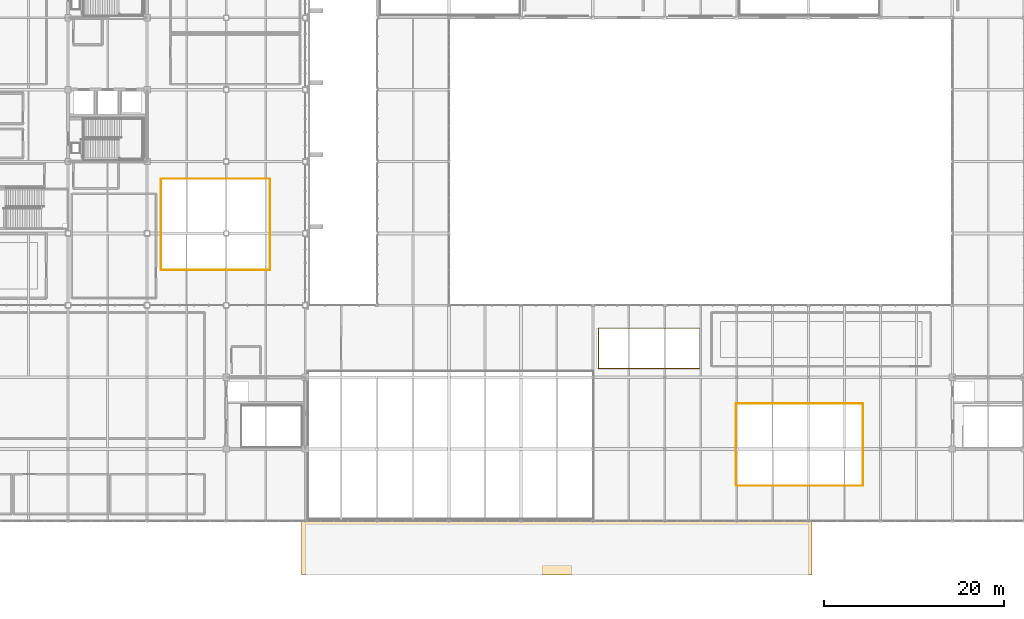
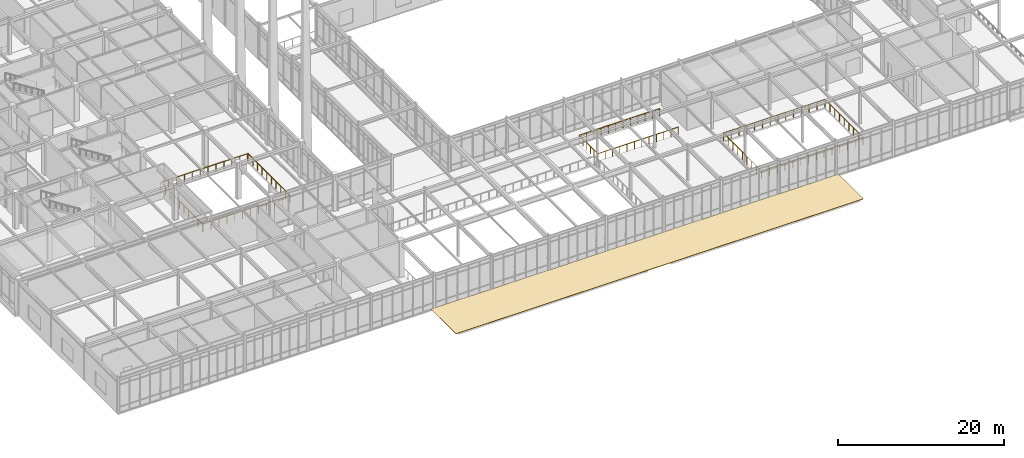
# One storey, part 175 of 184: 5 railings, 1 covering.
"""IFC4 building model written with IfcOpenShell, lengths in metres."""

import ifcopenshell
import ifcopenshell.guid

model = None  # the IFC model being written
_history = None  # IfcOwnerHistory: only IFC2X3 demands one
_inside = {}  # id of a spatial element -> (the spatial element, [elements in it])
_under = {}  # id of a project, library or spatial element -> (it, [spatial elements below it])
_declared = {}  # id of a project -> (the project, [libraries it declares])
_typed = {}  # id of a type object -> (the type object, [elements of that type])
_made_of = {}  # id of a material, layer set ... -> (it, [elements and type objects made of it])


def new_model(schema):
    """Start an empty IFC model of exactly this schema.

    Asked for "IFC4X3", IfcOpenShell would pick the latest addendum, in which some entities
    have other attributes; the version numbers below select the first issue.
    IFC2X3 requires an IfcOwnerHistory on every rooted entity: one is made here for all.
    """
    global model, _history
    if schema == "IFC4X3":
        model = ifcopenshell.file(schema_version=(4, 3, 0, 0))
    else:
        model = ifcopenshell.file(schema=schema)
    _inside.clear()
    _under.clear()
    _declared.clear()
    _typed.clear()
    _made_of.clear()
    _history = None
    if model.schema == "IFC2X3":
        org = make("IfcOrganization", Name="unknown")
        user = make(
            "IfcPersonAndOrganization",
            ThePerson=make("IfcPerson", FamilyName="unknown"),
            TheOrganization=org,
        )
        app = make(
            "IfcApplication",
            ApplicationDeveloper=org,
            Version="unknown",
            ApplicationFullName="unknown",
            ApplicationIdentifier="unknown",
        )
        _history = make(
            "IfcOwnerHistory",
            OwningUser=user,
            OwningApplication=app,
            ChangeAction="ADDED",
            CreationDate=0,
        )
    return model


def make(cls, **values):
    """One entity of the class cls with the attributes given. An attribute that is None is left unset."""
    return model.create_entity(
        cls, **{name: value for name, value in values.items() if value is not None}
    )


def rooted(cls, **values):
    """An entity with a GlobalId (a new one), such as an element, a storey or a relation."""
    return make(cls, GlobalId=ifcopenshell.guid.new(), OwnerHistory=_history, **values)


def si_unit(unit_type, name, prefix=None):
    """IfcSIUnit, for example si_unit("LENGTHUNIT", "METRE", prefix="MILLI")."""
    return make("IfcSIUnit", UnitType=unit_type, Prefix=prefix, Name=name)


def assignment(units):
    """IfcUnitAssignment: the units of a project."""
    return None if units is None else make("IfcUnitAssignment", Units=units)


def point(xyz):
    """IfcCartesianPoint."""
    return None if xyz is None else make("IfcCartesianPoint", Coordinates=xyz)


def direction(xyz):
    """IfcDirection."""
    return None if xyz is None else make("IfcDirection", DirectionRatios=xyz)


def frame(location, z_axis=None, x_axis=None):
    """IfcAxis2Placement3D, a coordinate frame: its origin and axes. An axis left out is left unset."""
    return make(
        "IfcAxis2Placement3D",
        Location=point(location),
        Axis=direction(z_axis),
        RefDirection=direction(x_axis),
    )


def frame_2d(location, x_axis=None):
    """IfcAxis2Placement2D, a coordinate frame in the plane: its origin and x axis."""
    return make(
        "IfcAxis2Placement2D", Location=point(location), RefDirection=direction(x_axis)
    )


def origin():
    """The frame at (0, 0, 0) with its axes left unset."""
    return frame((0.0, 0.0, 0.0))


def origin_2d():
    """The frame at (0, 0) in the plane with its x axis left unset."""
    return frame_2d((0.0, 0.0))


def place(relative_to, where):
    """IfcLocalPlacement: puts the frame where relative to a parent placement (None: the world)."""
    return make(
        "IfcLocalPlacement", PlacementRelTo=relative_to, RelativePlacement=where
    )


def context(
    kind, dimensions, precision=None, world=None, true_north=None, identifier=None
):
    """IfcGeometricRepresentationContext, for example the 3D "Model" context."""
    return make(
        "IfcGeometricRepresentationContext",
        ContextIdentifier=identifier,
        ContextType=kind,
        CoordinateSpaceDimension=dimensions,
        Precision=precision,
        WorldCoordinateSystem=world,
        TrueNorth=true_north,
    )


def subcontext(parent, identifier, kind, view, scale=None):
    """IfcGeometricRepresentationSubContext, for example "Body" below "Model"."""
    return make(
        "IfcGeometricRepresentationSubContext",
        ContextIdentifier=identifier,
        ContextType=kind,
        ParentContext=parent,
        TargetScale=scale,
        TargetView=view,
    )


def project(units=None, contexts=None):
    """IfcProject with its units and contexts."""
    return rooted(
        "IfcProject",
        Name="project",
        RepresentationContexts=contexts,
        UnitsInContext=assignment(units),
    )


def spatial(cls, under=None, at=None, **own):
    """A site, building, storey or space (cls), placed at a placement, below another one or the project."""
    s = rooted(cls, ObjectPlacement=at, **own)
    if under is not None:
        _under.setdefault(under.id(), (under, []))[1].append(s)
    return s


def profile(cls, at=None, kind="AREA", **sizes):
    """A parametric profile (cls). Its sizes go by their IFC names, for example OverallWidth=200.0."""
    return make(cls, ProfileType=kind, Position=at, **sizes)


def rectangle(**sizes):
    """IfcRectangleProfileDef."""
    return profile("IfcRectangleProfileDef", **sizes)


def circle(**sizes):
    """IfcCircleProfileDef."""
    return profile("IfcCircleProfileDef", **sizes)


def extrude(swept, where, along, depth):
    """IfcExtrudedAreaSolid: the profile swept, set in the frame where, extruded along a direction by depth."""
    return make(
        "IfcExtrudedAreaSolid",
        SweptArea=swept,
        Position=where,
        ExtrudedDirection=direction(along),
        Depth=depth,
    )


def shape(context_of_items, identifier, shape_type, items):
    """IfcShapeRepresentation: the items that make up one representation, for example the "Body"."""
    return make(
        "IfcShapeRepresentation",
        ContextOfItems=context_of_items,
        RepresentationIdentifier=identifier,
        RepresentationType=shape_type,
        Items=items,
    )


def material(Name=None, Category=None):
    """IfcMaterial."""
    return make("IfcMaterial", Name=Name, Category=Category)


def layer(
    of_material, thickness, ventilated=None, Name=None, Category=None, Priority=None
):
    """IfcMaterialLayer: one layer of a wall or slab, of a material (None: an air gap)."""
    return make(
        "IfcMaterialLayer",
        Material=of_material,
        LayerThickness=thickness,
        IsVentilated=ventilated,
        Name=Name,
        Category=Category,
        Priority=Priority,
    )


def layer_set(layers, Name=None):
    """IfcMaterialLayerSet."""
    return make("IfcMaterialLayerSet", MaterialLayers=layers, LayerSetName=Name)


def made_of(thing, what):
    """Note that an element or type object is made of a material, layer set ...; save() writes the relation."""
    if what is not None:
        _made_of.setdefault(what.id(), (what, []))[1].append(thing)
    return thing


def type_object(cls, material=None, **own):
    """A type object (cls), such as IfcWallType, which elements share."""
    return made_of(rooted(cls, **own), material)


def element(
    cls,
    number,
    at=None,
    inside=None,
    cuts=None,
    type_object=None,
    material=None,
    context=None,
    identifier="Body",
    shape_type=None,
    held_by="IfcProductDefinitionShape",
    body=None,
    shapes=None,
    **own,
):
    """One element of the class cls, such as IfcWall. Its Tag is "e" and its number.

    at: its placement. inside: the storey or other place that contains it. cuts: it is an
    opening in that element (IfcRelVoidsElement). A single representation is given by context,
    identifier, shape_type and body (its items); several are given by shapes. held_by: the class
    of the entity that holds the representations. save() writes the other relations.
    """
    e = rooted(cls, Tag="e%d" % number, ObjectPlacement=at, **own)
    if body is not None:
        shapes = [shape(context, identifier, shape_type, body)]
    if shapes is not None:
        e.Representation = make(held_by, Representations=shapes)
    if inside is not None:
        _inside.setdefault(inside.id(), (inside, []))[1].append(e)
    if cuts is not None:
        rooted(
            "IfcRelVoidsElement", RelatingBuildingElement=cuts, RelatedOpeningElement=e
        )
    if type_object is not None:
        _typed.setdefault(type_object.id(), (type_object, []))[1].append(e)
    return made_of(e, material)


def aggregate(whole, parts):
    """IfcRelAggregates: a whole, such as a stair, and the parts it consists of."""
    return rooted("IfcRelAggregates", RelatingObject=whole, RelatedObjects=parts)


def save(model, path):
    """Write the relations noted so far, then the file.

    IfcRelAggregates (storeys below a building ...), IfcRelContainedInSpatialStructure (elements
    in a storey), IfcRelDefinesByType, IfcRelAssociatesMaterial and IfcRelDeclares: one each for
    every whole, place, type object, material and project.
    """
    for whole, parts in _under.values():
        aggregate(whole, parts)
    for where, things in _inside.values():
        rooted(
            "IfcRelContainedInSpatialStructure",
            RelatedElements=things,
            RelatingStructure=where,
        )
    for kind, things in _typed.values():
        rooted("IfcRelDefinesByType", RelatedObjects=things, RelatingType=kind)
    for what, things in _made_of.values():
        rooted("IfcRelAssociatesMaterial", RelatedObjects=things, RelatingMaterial=what)
    for by, libraries in _declared.values():
        rooted("IfcRelDeclares", RelatingContext=by, RelatedDefinitions=libraries)
    model.write(path)


model = new_model("IFC4")

# Units and contexts
model_context = context("Model", 3, precision=1e-05, world=origin(), true_north=direction((0.0, 1.0)))
body_context = subcontext(model_context, "Body", "Model", "MODEL_VIEW")
ifc_project = project(units=[si_unit("LENGTHUNIT", "METRE"), si_unit("AREAUNIT", "SQUARE_METRE"), si_unit("VOLUMEUNIT", "CUBIC_METRE"), si_unit("PLANEANGLEUNIT", "RADIAN"), si_unit("MASSUNIT", "GRAM", prefix="KILO")], contexts=[model_context])

# Site, building, storey
site_placement = place(None, origin())
site = spatial("IfcSite", under=ifc_project, at=site_placement, CompositionType="ELEMENT")
building_placement = place(site_placement, origin())
building = spatial("IfcBuilding", under=site, at=building_placement, Name="Zhaolan Boulevard Law Courts", CompositionType="ELEMENT")
storey_placement = place(building_placement, frame((0.0, 0.0, 5.39990234375)))
storey = spatial("IfcBuildingStorey", under=building, at=storey_placement, Name="L01", CompositionType="ELEMENT", Elevation=5.39990234375)

# Railings
ifc_material_1 = material(Name="Powder-coated steel and tempered laminated glass", Category="steel")
railing_type_1 = type_object("IfcRailingType", Name="INTERIOR GUARDRAIL 1150", PredefinedType="GUARDRAIL", material=ifc_material_1)
railing_1_placement = place(storey_placement, frame((91.9599609375, 9.919921875, 0.0)))
element("IfcRailing", 1, at=railing_1_placement, inside=storey, type_object=railing_type_1, Name="Atrium Gallery Guardrail VG-1-V4-7A", PredefinedType="GUARDRAIL", context=body_context, shape_type="SweptSolid", body=[
    extrude(circle(Radius=0.02490234375, at=origin_2d()), frame((0.0, 0.0, 1.125), z_axis=(1.0, 0.0, 0.0), x_axis=(0.0, 1.0, 0.0)), (0.0, 0.0, 1.0), 14.1201171875),
    extrude(circle(Radius=0.02490234375, at=origin_2d()), frame((14.1201171875, 0.0, 1.125), z_axis=(0.0, 1.0, 0.0), x_axis=(-1.0, 0.0, 0.0)), (0.0, 0.0, 1.0), 9.1201171875),
    extrude(circle(Radius=0.02099609375, at=origin_2d()), origin(), (0.0, 0.0, 1.0), 1.099853515625),
    extrude(circle(Radius=0.02099609375, at=origin_2d()), frame((1.086181640625, 0.0, 0.0)), (0.0, 0.0, 1.0), 1.099853515625),
    extrude(circle(Radius=0.02099609375, at=origin_2d()), frame((2.17236328125, 0.0, 0.0)), (0.0, 0.0, 1.0), 1.099853515625),
    extrude(circle(Radius=0.02099609375, at=origin_2d()), frame((3.258544921875, 0.0, 0.0)), (0.0, 0.0, 1.0), 1.099853515625),
    extrude(circle(Radius=0.02099609375, at=origin_2d()), frame((4.3447265625, 0.0, 0.0)), (0.0, 0.0, 1.0), 1.099853515625),
    extrude(circle(Radius=0.02099609375, at=origin_2d()), frame((5.430908203125, 0.0, 0.0)), (0.0, 0.0, 1.0), 1.099853515625),
    extrude(circle(Radius=0.02099609375, at=origin_2d()), frame((6.51708984375, 0.0, 0.0)), (0.0, 0.0, 1.0), 1.099853515625),
    extrude(circle(Radius=0.02099609375, at=origin_2d()), frame((7.60302734375, 0.0, 0.0)), (0.0, 0.0, 1.0), 1.099853515625),
    extrude(circle(Radius=0.02099609375, at=origin_2d()), frame((8.689208984375, 0.0, 0.0)), (0.0, 0.0, 1.0), 1.099853515625),
    extrude(circle(Radius=0.02099609375, at=origin_2d()), frame((9.775390625, 0.0, 0.0)), (0.0, 0.0, 1.0), 1.099853515625),
    extrude(circle(Radius=0.02099609375, at=origin_2d()), frame((10.861572265625, 0.0, 0.0)), (0.0, 0.0, 1.0), 1.099853515625),
    extrude(circle(Radius=0.02099609375, at=origin_2d()), frame((11.94775390625, 0.0, 0.0)), (0.0, 0.0, 1.0), 1.099853515625),
    extrude(circle(Radius=0.02099609375, at=origin_2d()), frame((13.033935546875, 0.0, 0.0)), (0.0, 0.0, 1.0), 1.099853515625),
    extrude(circle(Radius=0.02099609375, at=origin_2d()), frame((14.1201171875, 0.0, 0.0)), (0.0, 0.0, 1.0), 1.099853515625),
    extrude(circle(Radius=0.02099609375, at=origin_2d()), frame((14.1201171875, 1.14013671875, 0.0)), (0.0, 0.0, 1.0), 1.099853515625),
    extrude(circle(Radius=0.02099609375, at=origin_2d()), frame((14.1201171875, 2.280029296875, 0.0)), (0.0, 0.0, 1.0), 1.099853515625),
    extrude(circle(Radius=0.02099609375, at=origin_2d()), frame((14.1201171875, 3.419921875, 0.0)), (0.0, 0.0, 1.0), 1.099853515625),
    extrude(circle(Radius=0.02099609375, at=origin_2d()), frame((14.1201171875, 4.56005859375, 0.0)), (0.0, 0.0, 1.0), 1.099853515625),
    extrude(circle(Radius=0.02099609375, at=origin_2d()), frame((14.1201171875, 5.7001953125, 0.0)), (0.0, 0.0, 1.0), 1.099853515625),
    extrude(circle(Radius=0.02099609375, at=origin_2d()), frame((14.1201171875, 6.840087890625, 0.0)), (0.0, 0.0, 1.0), 1.099853515625),
    extrude(circle(Radius=0.02099609375, at=origin_2d()), frame((14.1201171875, 7.97998046875, 0.0)), (0.0, 0.0, 1.0), 1.099853515625),
    extrude(circle(Radius=0.02099609375, at=origin_2d()), frame((14.1201171875, 9.1201171875, 0.0)), (0.0, 0.0, 1.0), 1.099853515625),
])
railing_2_placement = place(storey_placement, frame((106.02001953125, 19.080078125, 0.0)))
element("IfcRailing", 2, at=railing_2_placement, inside=storey, type_object=railing_type_1, Name="Atrium Gallery Guardrail VG-1-V4-7B", PredefinedType="GUARDRAIL", context=body_context, shape_type="SweptSolid", body=[
    extrude(circle(Radius=0.02490234375, at=origin_2d()), frame((0.0, 0.0, 1.125), z_axis=(-1.0, 0.0, 0.0), x_axis=(0.0, -1.0, 0.0)), (0.0, 0.0, 1.0), 14.10009765625),
    extrude(circle(Radius=0.02490234375, at=origin_2d()), frame((-14.10009765625, 0.0, 1.125), z_axis=(0.0, -1.0, 0.0), x_axis=(1.0, 0.0, 0.0)), (0.0, 0.0, 1.0), 9.10009765625),
    extrude(circle(Radius=0.02099609375, at=origin_2d()), origin(), (0.0, 0.0, 1.0), 1.099853515625),
    extrude(circle(Radius=0.02099609375, at=origin_2d()), frame((-1.084716796875, 0.0, 0.0)), (0.0, 0.0, 1.0), 1.099853515625),
    extrude(circle(Radius=0.02099609375, at=origin_2d()), frame((-2.169189453125, 0.0, 0.0)), (0.0, 0.0, 1.0), 1.099853515625),
    extrude(circle(Radius=0.02099609375, at=origin_2d()), frame((-3.25390625, 0.0, 0.0)), (0.0, 0.0, 1.0), 1.099853515625),
    extrude(circle(Radius=0.02099609375, at=origin_2d()), frame((-4.33837890625, 0.0, 0.0)), (0.0, 0.0, 1.0), 1.099853515625),
    extrude(circle(Radius=0.02099609375, at=origin_2d()), frame((-5.423095703125, 0.0, 0.0)), (0.0, 0.0, 1.0), 1.099853515625),
    extrude(circle(Radius=0.02099609375, at=origin_2d()), frame((-6.5078125, 0.0, 0.0)), (0.0, 0.0, 1.0), 1.099853515625),
    extrude(circle(Radius=0.02099609375, at=origin_2d()), frame((-7.59228515625, 0.0, 0.0)), (0.0, 0.0, 1.0), 1.099853515625),
    extrude(circle(Radius=0.02099609375, at=origin_2d()), frame((-8.677001953125, 0.0, 0.0)), (0.0, 0.0, 1.0), 1.099853515625),
    extrude(circle(Radius=0.02099609375, at=origin_2d()), frame((-9.76171875, 0.0, 0.0)), (0.0, 0.0, 1.0), 1.099853515625),
    extrude(circle(Radius=0.02099609375, at=origin_2d()), frame((-10.84619140625, 0.0, 0.0)), (0.0, 0.0, 1.0), 1.099853515625),
    extrude(circle(Radius=0.02099609375, at=origin_2d()), frame((-11.930908203125, 0.0, 0.0)), (0.0, 0.0, 1.0), 1.099853515625),
    extrude(circle(Radius=0.02099609375, at=origin_2d()), frame((-13.015380859375, 0.0, 0.0)), (0.0, 0.0, 1.0), 1.099853515625),
    extrude(circle(Radius=0.02099609375, at=origin_2d()), frame((-14.10009765625, 0.0, 0.0)), (0.0, 0.0, 1.0), 1.099853515625),
    extrude(circle(Radius=0.02099609375, at=origin_2d()), frame((-14.10009765625, -1.137451171875, 0.0)), (0.0, 0.0, 1.0), 1.099853515625),
    extrude(circle(Radius=0.02099609375, at=origin_2d()), frame((-14.10009765625, -2.27490234375, 0.0)), (0.0, 0.0, 1.0), 1.099853515625),
    extrude(circle(Radius=0.02099609375, at=origin_2d()), frame((-14.10009765625, -3.41259765625, 0.0)), (0.0, 0.0, 1.0), 1.099853515625),
    extrude(circle(Radius=0.02099609375, at=origin_2d()), frame((-14.10009765625, -4.550048828125, 0.0)), (0.0, 0.0, 1.0), 1.099853515625),
    extrude(circle(Radius=0.02099609375, at=origin_2d()), frame((-14.10009765625, -5.6875, 0.0)), (0.0, 0.0, 1.0), 1.099853515625),
    extrude(circle(Radius=0.02099609375, at=origin_2d()), frame((-14.10009765625, -6.8251953125, 0.0)), (0.0, 0.0, 1.0), 1.099853515625),
    extrude(circle(Radius=0.02099609375, at=origin_2d()), frame((-14.10009765625, -7.962646484375, 0.0)), (0.0, 0.0, 1.0), 1.099853515625),
    extrude(circle(Radius=0.02099609375, at=origin_2d()), frame((-14.10009765625, -9.10009765625, 0.0)), (0.0, 0.0, 1.0), 1.099853515625),
])
railing_3_placement = place(storey_placement, frame((27.9599609375, 33.919921875, 0.0)))
element("IfcRailing", 3, at=railing_3_placement, inside=storey, type_object=railing_type_1, Name="Atrium Gallery Guardrail VG-1-V5-11A", PredefinedType="GUARDRAIL", context=body_context, shape_type="SweptSolid", body=[
    extrude(circle(Radius=0.02490234375, at=origin_2d()), frame((0.0, 0.0, 1.125), z_axis=(1.0, 0.0, 0.0), x_axis=(0.0, 1.0, 0.0)), (0.0, 0.0, 1.0), 12.1201171875),
    extrude(circle(Radius=0.02490234375, at=origin_2d()), frame((12.1201171875, 0.0, 1.125), z_axis=(0.0, 1.0, 0.0), x_axis=(-1.0, 0.0, 0.0)), (0.0, 0.0, 1.0), 10.1201171875),
    extrude(circle(Radius=0.02099609375, at=origin_2d()), origin(), (0.0, 0.0, 1.0), 1.099853515625),
    extrude(circle(Radius=0.02099609375, at=origin_2d()), frame((1.101806640625, 0.0, 0.0)), (0.0, 0.0, 1.0), 1.099853515625),
    extrude(circle(Radius=0.02099609375, at=origin_2d()), frame((2.20361328125, 0.0, 0.0)), (0.0, 0.0, 1.0), 1.099853515625),
    extrude(circle(Radius=0.02099609375, at=origin_2d()), frame((3.305419921875, 0.0, 0.0)), (0.0, 0.0, 1.0), 1.099853515625),
    extrude(circle(Radius=0.02099609375, at=origin_2d()), frame((4.4072265625, 0.0, 0.0)), (0.0, 0.0, 1.0), 1.099853515625),
    extrude(circle(Radius=0.02099609375, at=origin_2d()), frame((5.509033203125, 0.0, 0.0)), (0.0, 0.0, 1.0), 1.099853515625),
    extrude(circle(Radius=0.02099609375, at=origin_2d()), frame((6.611083984375, 0.0, 0.0)), (0.0, 0.0, 1.0), 1.099853515625),
    extrude(circle(Radius=0.02099609375, at=origin_2d()), frame((7.712890625, 0.0, 0.0)), (0.0, 0.0, 1.0), 1.099853515625),
    extrude(circle(Radius=0.02099609375, at=origin_2d()), frame((8.814697265625, 0.0, 0.0)), (0.0, 0.0, 1.0), 1.099853515625),
    extrude(circle(Radius=0.02099609375, at=origin_2d()), frame((9.91650390625, 0.0, 0.0)), (0.0, 0.0, 1.0), 1.099853515625),
    extrude(circle(Radius=0.02099609375, at=origin_2d()), frame((11.018310546875, 0.0, 0.0)), (0.0, 0.0, 1.0), 1.099853515625),
    extrude(circle(Radius=0.02099609375, at=origin_2d()), frame((12.1201171875, 0.0, 0.0)), (0.0, 0.0, 1.0), 1.099853515625),
    extrude(circle(Radius=0.02099609375, at=origin_2d()), frame((12.1201171875, 1.12451171875, 0.0)), (0.0, 0.0, 1.0), 1.099853515625),
    extrude(circle(Radius=0.02099609375, at=origin_2d()), frame((12.1201171875, 2.2490234375, 0.0)), (0.0, 0.0, 1.0), 1.099853515625),
    extrude(circle(Radius=0.02099609375, at=origin_2d()), frame((12.1201171875, 3.373291015625, 0.0)), (0.0, 0.0, 1.0), 1.099853515625),
    extrude(circle(Radius=0.02099609375, at=origin_2d()), frame((12.1201171875, 4.497802734375, 0.0)), (0.0, 0.0, 1.0), 1.099853515625),
    extrude(circle(Radius=0.02099609375, at=origin_2d()), frame((12.1201171875, 5.622314453125, 0.0)), (0.0, 0.0, 1.0), 1.099853515625),
    extrude(circle(Radius=0.02099609375, at=origin_2d()), frame((12.1201171875, 6.746826171875, 0.0)), (0.0, 0.0, 1.0), 1.099853515625),
    extrude(circle(Radius=0.02099609375, at=origin_2d()), frame((12.1201171875, 7.87109375, 0.0)), (0.0, 0.0, 1.0), 1.099853515625),
    extrude(circle(Radius=0.02099609375, at=origin_2d()), frame((12.1201171875, 8.99560546875, 0.0)), (0.0, 0.0, 1.0), 1.099853515625),
    extrude(circle(Radius=0.02099609375, at=origin_2d()), frame((12.1201171875, 10.1201171875, 0.0)), (0.0, 0.0, 1.0), 1.099853515625),
])
railing_4_placement = place(storey_placement, frame((40.02001953125, 44.080078125, 0.0)))
element("IfcRailing", 4, at=railing_4_placement, inside=storey, type_object=railing_type_1, Name="Atrium Gallery Guardrail VG-1-V5-11B", PredefinedType="GUARDRAIL", context=body_context, shape_type="SweptSolid", body=[
    extrude(circle(Radius=0.02490234375, at=origin_2d()), frame((0.0, 0.0, 1.125), z_axis=(-1.0, 0.0, 0.0), x_axis=(0.0, -1.0, 0.0)), (0.0, 0.0, 1.0), 12.10009765625),
    extrude(circle(Radius=0.02490234375, at=origin_2d()), frame((-12.10009765625, 0.0, 1.125), z_axis=(0.0, -1.0, 0.0), x_axis=(1.0, 0.0, 0.0)), (0.0, 0.0, 1.0), 10.10009765625),
    extrude(circle(Radius=0.02099609375, at=origin_2d()), origin(), (0.0, 0.0, 1.0), 1.099853515625),
    extrude(circle(Radius=0.02099609375, at=origin_2d()), frame((-1.10009765625, 0.0, 0.0)), (0.0, 0.0, 1.0), 1.099853515625),
    extrude(circle(Radius=0.02099609375, at=origin_2d()), frame((-2.199951171875, 0.0, 0.0)), (0.0, 0.0, 1.0), 1.099853515625),
    extrude(circle(Radius=0.02099609375, at=origin_2d()), frame((-3.300048828125, 0.0, 0.0)), (0.0, 0.0, 1.0), 1.099853515625),
    extrude(circle(Radius=0.02099609375, at=origin_2d()), frame((-4.400146484375, 0.0, 0.0)), (0.0, 0.0, 1.0), 1.099853515625),
    extrude(circle(Radius=0.02099609375, at=origin_2d()), frame((-5.5, 0.0, 0.0)), (0.0, 0.0, 1.0), 1.099853515625),
    extrude(circle(Radius=0.02099609375, at=origin_2d()), frame((-6.60009765625, 0.0, 0.0)), (0.0, 0.0, 1.0), 1.099853515625),
    extrude(circle(Radius=0.02099609375, at=origin_2d()), frame((-7.699951171875, 0.0, 0.0)), (0.0, 0.0, 1.0), 1.099853515625),
    extrude(circle(Radius=0.02099609375, at=origin_2d()), frame((-8.800048828125, 0.0, 0.0)), (0.0, 0.0, 1.0), 1.099853515625),
    extrude(circle(Radius=0.02099609375, at=origin_2d()), frame((-9.900146484375, 0.0, 0.0)), (0.0, 0.0, 1.0), 1.099853515625),
    extrude(circle(Radius=0.02099609375, at=origin_2d()), frame((-11.0, 0.0, 0.0)), (0.0, 0.0, 1.0), 1.099853515625),
    extrude(circle(Radius=0.02099609375, at=origin_2d()), frame((-12.10009765625, 0.0, 0.0)), (0.0, 0.0, 1.0), 1.099853515625),
    extrude(circle(Radius=0.02099609375, at=origin_2d()), frame((-12.10009765625, -1.122314453125, 0.0)), (0.0, 0.0, 1.0), 1.099853515625),
    extrude(circle(Radius=0.02099609375, at=origin_2d()), frame((-12.10009765625, -2.244384765625, 0.0)), (0.0, 0.0, 1.0), 1.099853515625),
    extrude(circle(Radius=0.02099609375, at=origin_2d()), frame((-12.10009765625, -3.36669921875, 0.0)), (0.0, 0.0, 1.0), 1.099853515625),
    extrude(circle(Radius=0.02099609375, at=origin_2d()), frame((-12.10009765625, -4.489013671875, 0.0)), (0.0, 0.0, 1.0), 1.099853515625),
    extrude(circle(Radius=0.02099609375, at=origin_2d()), frame((-12.10009765625, -5.611083984375, 0.0)), (0.0, 0.0, 1.0), 1.099853515625),
    extrude(circle(Radius=0.02099609375, at=origin_2d()), frame((-12.10009765625, -6.7333984375, 0.0)), (0.0, 0.0, 1.0), 1.099853515625),
    extrude(circle(Radius=0.02099609375, at=origin_2d()), frame((-12.10009765625, -7.855712890625, 0.0)), (0.0, 0.0, 1.0), 1.099853515625),
    extrude(circle(Radius=0.02099609375, at=origin_2d()), frame((-12.10009765625, -8.977783203125, 0.0)), (0.0, 0.0, 1.0), 1.099853515625),
    extrude(circle(Radius=0.02099609375, at=origin_2d()), frame((-12.10009765625, -10.10009765625, 0.0)), (0.0, 0.0, 1.0), 1.099853515625),
])
ifc_material_2 = material(Name="Powder-coated steel baluster guardrail", Category="steel")
railing_type_2 = type_object("IfcRailingType", Name="STAIR WELL GUARDRAIL 1120", PredefinedType="GUARDRAIL", material=ifc_material_2)
railing_5_placement = place(storey_placement, frame((87.85009765625, 22.949951171875, 0.0)))
element("IfcRailing", 5, at=railing_5_placement, inside=storey, type_object=railing_type_2, Name="Stair-Well Floor Guardrail WG-ST06-L00", PredefinedType="GUARDRAIL", context=body_context, shape_type="SweptSolid", body=[
    extrude(circle(Radius=0.02392578125, at=origin_2d()), frame((0.0, 0.0, 1.09619140625), z_axis=(-1.0, 0.0, 0.0), x_axis=(0.0, -1.0, 0.0)), (0.0, 0.0, 1.0), 11.210205078125),
    extrude(circle(Radius=0.02392578125, at=origin_2d()), frame((-11.210205078125, 0.0, 1.09619140625), z_axis=(0.0, 1.0, 0.0), x_axis=(-1.0, 0.0, 0.0)), (0.0, 0.0, 1.0), 4.5),
    extrude(circle(Radius=0.02392578125, at=origin_2d()), frame((-11.210205078125, 4.5, 1.09619140625), z_axis=(1.0, 0.0, 0.0), x_axis=(0.0, 1.0, 0.0)), (0.0, 0.0, 1.0), 11.210205078125),
    extrude(circle(Radius=0.02099609375, at=origin_2d()), origin(), (0.0, 0.0, 1.0), 1.072021484375),
    extrude(circle(Radius=0.02099609375, at=origin_2d()), frame((-1.01904296875, 0.0, 0.0)), (0.0, 0.0, 1.0), 1.072021484375),
    extrude(circle(Radius=0.02099609375, at=origin_2d()), frame((-2.038330078125, 0.0, 0.0)), (0.0, 0.0, 1.0), 1.072021484375),
    extrude(circle(Radius=0.02099609375, at=origin_2d()), frame((-3.057373046875, 0.0, 0.0)), (0.0, 0.0, 1.0), 1.072021484375),
    extrude(circle(Radius=0.02099609375, at=origin_2d()), frame((-4.076416015625, 0.0, 0.0)), (0.0, 0.0, 1.0), 1.072021484375),
    extrude(circle(Radius=0.02099609375, at=origin_2d()), frame((-5.095458984375, 0.0, 0.0)), (0.0, 0.0, 1.0), 1.072021484375),
    extrude(circle(Radius=0.02099609375, at=origin_2d()), frame((-6.11474609375, 0.0, 0.0)), (0.0, 0.0, 1.0), 1.072021484375),
    extrude(circle(Radius=0.02099609375, at=origin_2d()), frame((-7.1337890625, 0.0, 0.0)), (0.0, 0.0, 1.0), 1.072021484375),
    extrude(circle(Radius=0.02099609375, at=origin_2d()), frame((-8.15283203125, 0.0, 0.0)), (0.0, 0.0, 1.0), 1.072021484375),
    extrude(circle(Radius=0.02099609375, at=origin_2d()), frame((-9.171875, 0.0, 0.0)), (0.0, 0.0, 1.0), 1.072021484375),
    extrude(circle(Radius=0.02099609375, at=origin_2d()), frame((-10.191162109375, 0.0, 0.0)), (0.0, 0.0, 1.0), 1.072021484375),
    extrude(circle(Radius=0.02099609375, at=origin_2d()), frame((-11.210205078125, 0.0, 0.0)), (0.0, 0.0, 1.0), 1.072021484375),
    extrude(circle(Radius=0.02099609375, at=origin_2d()), frame((-11.210205078125, 0.89990234375, 0.0)), (0.0, 0.0, 1.0), 1.072021484375),
    extrude(circle(Radius=0.02099609375, at=origin_2d()), frame((-11.210205078125, 1.800048828125, 0.0)), (0.0, 0.0, 1.0), 1.072021484375),
    extrude(circle(Radius=0.02099609375, at=origin_2d()), frame((-11.210205078125, 2.699951171875, 0.0)), (0.0, 0.0, 1.0), 1.072021484375),
    extrude(circle(Radius=0.02099609375, at=origin_2d()), frame((-11.210205078125, 3.60009765625, 0.0)), (0.0, 0.0, 1.0), 1.072021484375),
    extrude(circle(Radius=0.02099609375, at=origin_2d()), frame((-11.210205078125, 4.5, 0.0)), (0.0, 0.0, 1.0), 1.072021484375),
    extrude(circle(Radius=0.02099609375, at=origin_2d()), frame((-10.191162109375, 4.5, 0.0)), (0.0, 0.0, 1.0), 1.072021484375),
    extrude(circle(Radius=0.02099609375, at=origin_2d()), frame((-9.171875, 4.5, 0.0)), (0.0, 0.0, 1.0), 1.072021484375),
    extrude(circle(Radius=0.02099609375, at=origin_2d()), frame((-8.15283203125, 4.5, 0.0)), (0.0, 0.0, 1.0), 1.072021484375),
    extrude(circle(Radius=0.02099609375, at=origin_2d()), frame((-7.1337890625, 4.5, 0.0)), (0.0, 0.0, 1.0), 1.072021484375),
    extrude(circle(Radius=0.02099609375, at=origin_2d()), frame((-6.11474609375, 4.5, 0.0)), (0.0, 0.0, 1.0), 1.072021484375),
    extrude(circle(Radius=0.02099609375, at=origin_2d()), frame((-5.095458984375, 4.5, 0.0)), (0.0, 0.0, 1.0), 1.072021484375),
    extrude(circle(Radius=0.02099609375, at=origin_2d()), frame((-4.076416015625, 4.5, 0.0)), (0.0, 0.0, 1.0), 1.072021484375),
    extrude(circle(Radius=0.02099609375, at=origin_2d()), frame((-3.057373046875, 4.5, 0.0)), (0.0, 0.0, 1.0), 1.072021484375),
    extrude(circle(Radius=0.02099609375, at=origin_2d()), frame((-2.038330078125, 4.5, 0.0)), (0.0, 0.0, 1.0), 1.072021484375),
    extrude(circle(Radius=0.02099609375, at=origin_2d()), frame((-1.01904296875, 4.5, 0.0)), (0.0, 0.0, 1.0), 1.072021484375),
    extrude(circle(Radius=0.02099609375, at=origin_2d()), frame((0.0, 4.5, 0.0)), (0.0, 0.0, 1.0), 1.072021484375),
])

# Covering
ifc_material_3 = material(Name="Pale mist-grey standing-seam Al-Mg-Mn zinc-titanium")
ifc_layer = layer(ifc_material_3, 0.054931640625)
ifc_layer_set = layer_set([ifc_layer])
covering_type = type_object("IfcCoveringType", Name="STANDING SEAM ROOFING 55", PredefinedType="ROOFING", material=ifc_layer_set)
covering_placement = place(storey_placement, frame((72.0, 3.0, 0.0), z_axis=(0.0, 0.0, 1.0), x_axis=(1.0, 0.0, 0.0)))
element("IfcCovering", 6, at=covering_placement, inside=storey, type_object=covering_type, Name="Standing-Seam Metal Roof Covering RCV-02", PredefinedType="ROOFING", context=body_context, shape_type="SweptSolid", body=[
    extrude(rectangle(XDim=56.800048828125, YDim=6.0, at=origin_2d()), origin(), (0.0, 0.0, 1.0), 0.054931640625),
])

save(model, "model.ifc")
